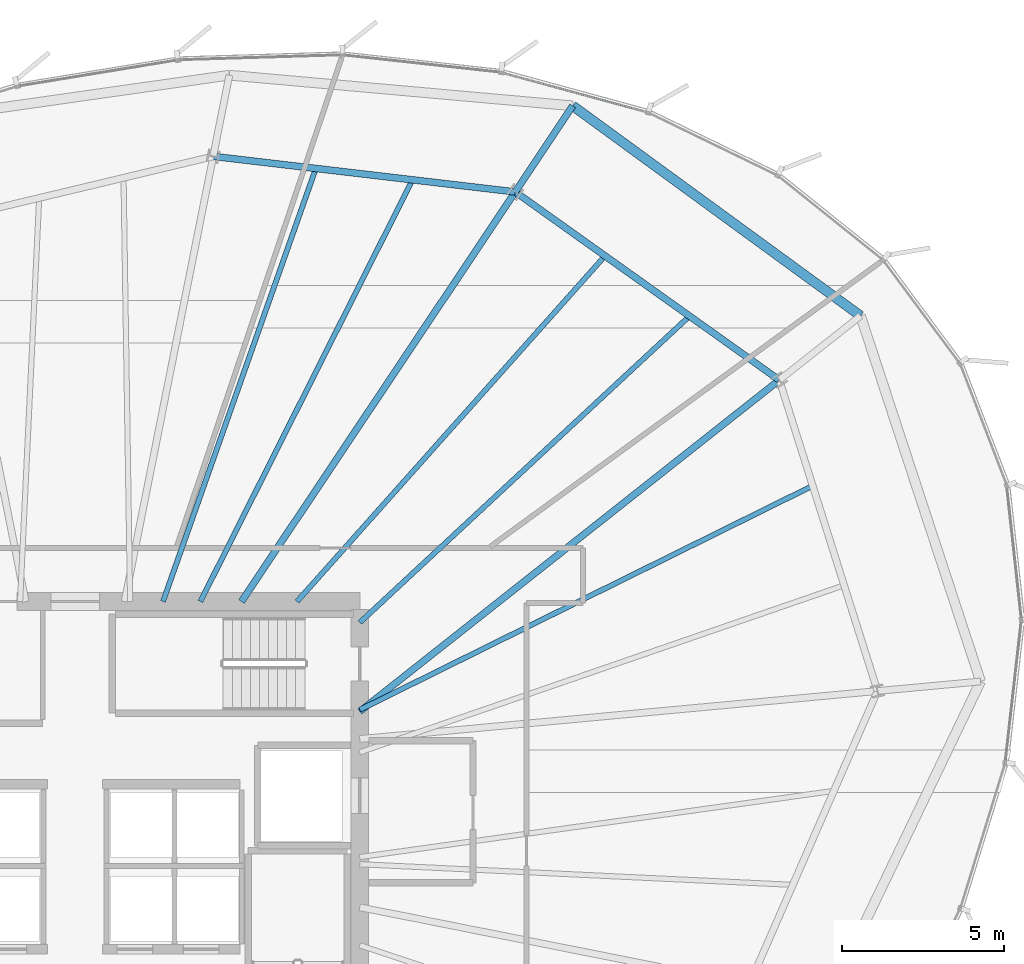
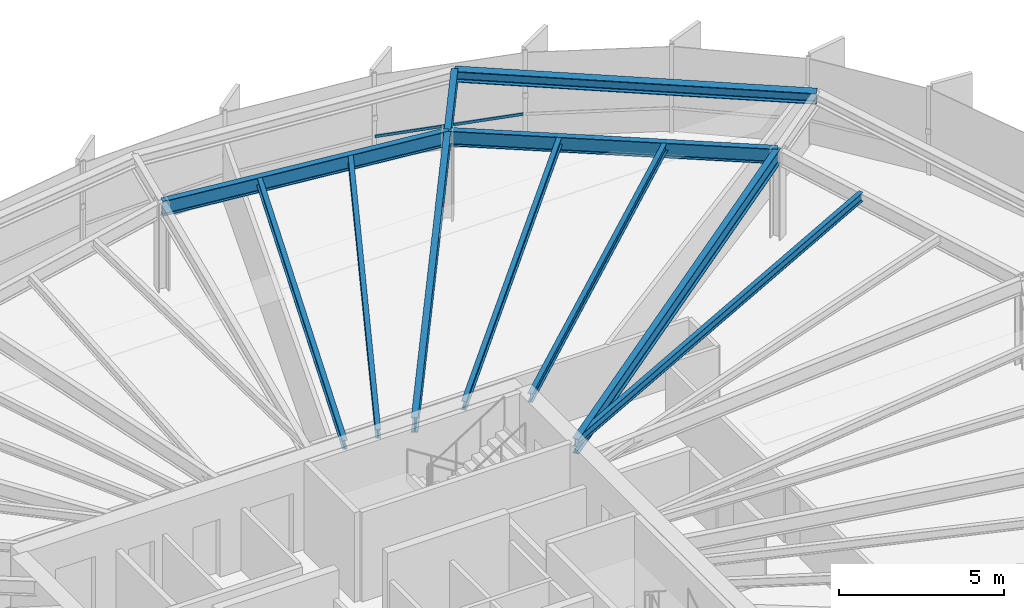
# One storey, part 23 of 36: 11 beams, 1 member, 1 element without a shape of its own.
"""IFC4 building model written with IfcOpenShell, lengths in metres."""

import ifcopenshell
import ifcopenshell.guid

model = None  # the IFC model being written
_history = None  # IfcOwnerHistory: only IFC2X3 demands one
_inside = {}  # id of a spatial element -> (the spatial element, [elements in it])
_under = {}  # id of a project, library or spatial element -> (it, [spatial elements below it])
_declared = {}  # id of a project -> (the project, [libraries it declares])
_typed = {}  # id of a type object -> (the type object, [elements of that type])
_made_of = {}  # id of a material, layer set ... -> (it, [elements and type objects made of it])


def new_model(schema):
    """Start an empty IFC model of exactly this schema.

    Asked for "IFC4X3", IfcOpenShell would pick the latest addendum, in which some entities
    have other attributes; the version numbers below select the first issue.
    IFC2X3 requires an IfcOwnerHistory on every rooted entity: one is made here for all.
    """
    global model, _history
    if schema == "IFC4X3":
        model = ifcopenshell.file(schema_version=(4, 3, 0, 0))
    else:
        model = ifcopenshell.file(schema=schema)
    _inside.clear()
    _under.clear()
    _declared.clear()
    _typed.clear()
    _made_of.clear()
    _history = None
    if model.schema == "IFC2X3":
        org = make("IfcOrganization", Name="unknown")
        user = make(
            "IfcPersonAndOrganization",
            ThePerson=make("IfcPerson", FamilyName="unknown"),
            TheOrganization=org,
        )
        app = make(
            "IfcApplication",
            ApplicationDeveloper=org,
            Version="unknown",
            ApplicationFullName="unknown",
            ApplicationIdentifier="unknown",
        )
        _history = make(
            "IfcOwnerHistory",
            OwningUser=user,
            OwningApplication=app,
            ChangeAction="ADDED",
            CreationDate=0,
        )
    return model


def make(cls, **values):
    """One entity of the class cls with the attributes given. An attribute that is None is left unset."""
    return model.create_entity(
        cls, **{name: value for name, value in values.items() if value is not None}
    )


def rooted(cls, **values):
    """An entity with a GlobalId (a new one), such as an element, a storey or a relation."""
    return make(cls, GlobalId=ifcopenshell.guid.new(), OwnerHistory=_history, **values)


def si_unit(unit_type, name, prefix=None):
    """IfcSIUnit, for example si_unit("LENGTHUNIT", "METRE", prefix="MILLI")."""
    return make("IfcSIUnit", UnitType=unit_type, Prefix=prefix, Name=name)


def assignment(units):
    """IfcUnitAssignment: the units of a project."""
    return None if units is None else make("IfcUnitAssignment", Units=units)


def point(xyz):
    """IfcCartesianPoint."""
    return None if xyz is None else make("IfcCartesianPoint", Coordinates=xyz)


def direction(xyz):
    """IfcDirection."""
    return None if xyz is None else make("IfcDirection", DirectionRatios=xyz)


def frame(location, z_axis=None, x_axis=None):
    """IfcAxis2Placement3D, a coordinate frame: its origin and axes. An axis left out is left unset."""
    return make(
        "IfcAxis2Placement3D",
        Location=point(location),
        Axis=direction(z_axis),
        RefDirection=direction(x_axis),
    )


def frame_2d(location, x_axis=None):
    """IfcAxis2Placement2D, a coordinate frame in the plane: its origin and x axis."""
    return make(
        "IfcAxis2Placement2D", Location=point(location), RefDirection=direction(x_axis)
    )


def origin():
    """The frame at (0, 0, 0) with its axes left unset."""
    return frame((0.0, 0.0, 0.0))


def origin_2d():
    """The frame at (0, 0) in the plane with its x axis left unset."""
    return frame_2d((0.0, 0.0))


def place(relative_to, where):
    """IfcLocalPlacement: puts the frame where relative to a parent placement (None: the world)."""
    return make(
        "IfcLocalPlacement", PlacementRelTo=relative_to, RelativePlacement=where
    )


def context(
    kind, dimensions, precision=None, world=None, true_north=None, identifier=None
):
    """IfcGeometricRepresentationContext, for example the 3D "Model" context."""
    return make(
        "IfcGeometricRepresentationContext",
        ContextIdentifier=identifier,
        ContextType=kind,
        CoordinateSpaceDimension=dimensions,
        Precision=precision,
        WorldCoordinateSystem=world,
        TrueNorth=true_north,
    )


def subcontext(parent, identifier, kind, view, scale=None):
    """IfcGeometricRepresentationSubContext, for example "Body" below "Model"."""
    return make(
        "IfcGeometricRepresentationSubContext",
        ContextIdentifier=identifier,
        ContextType=kind,
        ParentContext=parent,
        TargetScale=scale,
        TargetView=view,
    )


def project(units=None, contexts=None):
    """IfcProject with its units and contexts."""
    return rooted(
        "IfcProject",
        Name="project",
        RepresentationContexts=contexts,
        UnitsInContext=assignment(units),
    )


def spatial(cls, under=None, at=None, **own):
    """A site, building, storey or space (cls), placed at a placement, below another one or the project."""
    s = rooted(cls, ObjectPlacement=at, **own)
    if under is not None:
        _under.setdefault(under.id(), (under, []))[1].append(s)
    return s


def profile(cls, at=None, kind="AREA", **sizes):
    """A parametric profile (cls). Its sizes go by their IFC names, for example OverallWidth=200.0."""
    return make(cls, ProfileType=kind, Position=at, **sizes)


def hollow_rectangle(**sizes):
    """IfcRectangleHollowProfileDef."""
    return profile("IfcRectangleHollowProfileDef", **sizes)


def i_section(**sizes):
    """IfcIShapeProfileDef."""
    return profile("IfcIShapeProfileDef", **sizes)


def extrude(swept, where, along, depth):
    """IfcExtrudedAreaSolid: the profile swept, set in the frame where, extruded along a direction by depth."""
    return make(
        "IfcExtrudedAreaSolid",
        SweptArea=swept,
        Position=where,
        ExtrudedDirection=direction(along),
        Depth=depth,
    )


def shape(context_of_items, identifier, shape_type, items):
    """IfcShapeRepresentation: the items that make up one representation, for example the "Body"."""
    return make(
        "IfcShapeRepresentation",
        ContextOfItems=context_of_items,
        RepresentationIdentifier=identifier,
        RepresentationType=shape_type,
        Items=items,
    )


def source(mapping_origin, context_of_items, identifier, shape_type, items):
    """IfcRepresentationMap: a shape defined once, which mapped items show again and again."""
    return make(
        "IfcRepresentationMap",
        MappingOrigin=mapping_origin,
        MappedRepresentation=shape(context_of_items, identifier, shape_type, items),
    )


def transform(
    local_origin,
    x_axis=None,
    y_axis=None,
    z_axis=None,
    scale=None,
    scale2=None,
    scale3=None,
    uniform=True,
):
    """IfcCartesianTransformationOperator3D, or its non-uniform kind. x_axis, y_axis, z_axis: its Axis1, 2, 3."""
    if uniform:
        return make(
            "IfcCartesianTransformationOperator3D",
            Axis1=direction(x_axis),
            Axis2=direction(y_axis),
            LocalOrigin=point(local_origin),
            Scale=scale,
            Axis3=direction(z_axis),
        )
    return make(
        "IfcCartesianTransformationOperator3DnonUniform",
        Axis1=direction(x_axis),
        Axis2=direction(y_axis),
        LocalOrigin=point(local_origin),
        Scale=scale,
        Axis3=direction(z_axis),
        Scale2=scale2,
        Scale3=scale3,
    )


def mapped(mapping_source, mapping_target):
    """IfcMappedItem: shows the shape of a source again, moved by a transform."""
    return make(
        "IfcMappedItem", MappingSource=mapping_source, MappingTarget=mapping_target
    )


def material(Name=None, Category=None):
    """IfcMaterial."""
    return make("IfcMaterial", Name=Name, Category=Category)


def layer(
    of_material, thickness, ventilated=None, Name=None, Category=None, Priority=None
):
    """IfcMaterialLayer: one layer of a wall or slab, of a material (None: an air gap)."""
    return make(
        "IfcMaterialLayer",
        Material=of_material,
        LayerThickness=thickness,
        IsVentilated=ventilated,
        Name=Name,
        Category=Category,
        Priority=Priority,
    )


def layer_set(layers, Name=None):
    """IfcMaterialLayerSet."""
    return make("IfcMaterialLayerSet", MaterialLayers=layers, LayerSetName=Name)


def material_profile(
    of_material, cross_section, Name=None, Category=None, Priority=None
):
    """IfcMaterialProfile: a cross section and its material."""
    return make(
        "IfcMaterialProfile",
        Name=Name,
        Material=of_material,
        Profile=cross_section,
        Priority=Priority,
        Category=Category,
    )


def profile_set(profiles, Name=None, composite=None):
    """IfcMaterialProfileSet."""
    return make(
        "IfcMaterialProfileSet",
        Name=Name,
        MaterialProfiles=profiles,
        CompositeProfile=composite,
    )


def made_of(thing, what):
    """Note that an element or type object is made of a material, layer set ...; save() writes the relation."""
    if what is not None:
        _made_of.setdefault(what.id(), (what, []))[1].append(thing)
    return thing


def type_object(cls, material=None, **own):
    """A type object (cls), such as IfcWallType, which elements share."""
    return made_of(rooted(cls, **own), material)


def element(
    cls,
    number,
    at=None,
    inside=None,
    cuts=None,
    type_object=None,
    material=None,
    context=None,
    identifier="Body",
    shape_type=None,
    held_by="IfcProductDefinitionShape",
    body=None,
    shapes=None,
    **own,
):
    """One element of the class cls, such as IfcWall. Its Tag is "e" and its number.

    at: its placement. inside: the storey or other place that contains it. cuts: it is an
    opening in that element (IfcRelVoidsElement). A single representation is given by context,
    identifier, shape_type and body (its items); several are given by shapes. held_by: the class
    of the entity that holds the representations. save() writes the other relations.
    """
    e = rooted(cls, Tag="e%d" % number, ObjectPlacement=at, **own)
    if body is not None:
        shapes = [shape(context, identifier, shape_type, body)]
    if shapes is not None:
        e.Representation = make(held_by, Representations=shapes)
    if inside is not None:
        _inside.setdefault(inside.id(), (inside, []))[1].append(e)
    if cuts is not None:
        rooted(
            "IfcRelVoidsElement", RelatingBuildingElement=cuts, RelatedOpeningElement=e
        )
    if type_object is not None:
        _typed.setdefault(type_object.id(), (type_object, []))[1].append(e)
    return made_of(e, material)


def aggregate(whole, parts):
    """IfcRelAggregates: a whole, such as a stair, and the parts it consists of."""
    return rooted("IfcRelAggregates", RelatingObject=whole, RelatedObjects=parts)


def save(model, path):
    """Write the relations noted so far, then the file.

    IfcRelAggregates (storeys below a building ...), IfcRelContainedInSpatialStructure (elements
    in a storey), IfcRelDefinesByType, IfcRelAssociatesMaterial and IfcRelDeclares: one each for
    every whole, place, type object, material and project.
    """
    for whole, parts in _under.values():
        aggregate(whole, parts)
    for where, things in _inside.values():
        rooted(
            "IfcRelContainedInSpatialStructure",
            RelatedElements=things,
            RelatingStructure=where,
        )
    for kind, things in _typed.values():
        rooted("IfcRelDefinesByType", RelatedObjects=things, RelatingType=kind)
    for what, things in _made_of.values():
        rooted("IfcRelAssociatesMaterial", RelatedObjects=things, RelatingMaterial=what)
    for by, libraries in _declared.values():
        rooted("IfcRelDeclares", RelatingContext=by, RelatedDefinitions=libraries)
    model.write(path)


model = new_model("IFC4")

# Units and contexts
model_context = context("Model", 3, precision=1e-05, world=origin(), true_north=direction((0.0, 1.0)))
body_context = subcontext(model_context, "Body", "Model", "MODEL_VIEW")
ifc_project = project(units=[si_unit("LENGTHUNIT", "METRE"), si_unit("AREAUNIT", "SQUARE_METRE"), si_unit("VOLUMEUNIT", "CUBIC_METRE"), si_unit("PLANEANGLEUNIT", "RADIAN"), si_unit("MASSUNIT", "GRAM", prefix="KILO"), si_unit("THERMODYNAMICTEMPERATUREUNIT", "KELVIN")], contexts=[model_context])

# Site, building, storey
site_placement = place(None, origin())
site = spatial("IfcSite", under=ifc_project, at=site_placement, CompositionType="ELEMENT")
building_placement = place(site_placement, origin())
building = spatial("IfcBuilding", under=site, at=building_placement, Name="Kethvar Cultural Tower", CompositionType="ELEMENT")
storey_placement = place(building_placement, frame((0.0, 0.0, 150.10009765625)))
storey = spatial("IfcBuildingStorey", under=building, at=storey_placement, Name="L38", CompositionType="ELEMENT", Elevation=150.10009765625)

# Beams
ifc_material_1 = material(Name="Steel S355J2", Category="steel")
ifc_material_profile_1 = material_profile(ifc_material_1, i_section(OverallWidth=0.2099609375, OverallDepth=0.550048828125, WebThickness=0.010986328125, FlangeThickness=0.01708984375, FilletRadius=0.02392578125, at=origin_2d()), Name="Steel S355J2 — IPE550")
ifc_profile_set_1 = profile_set([ifc_material_profile_1], Name="Steel S355J2 — IPE550")
beam_type_1 = type_object("IfcBeamType", Name="BM-IPE550", PredefinedType="BEAM", material=ifc_profile_set_1)
shared_shape_1 = source(origin(), body_context, "Body", "SweptSolid", [
    extrude(i_section(OverallWidth=0.2099609375, OverallDepth=0.550048828125, WebThickness=0.010986328125, FlangeThickness=0.01708984375, FilletRadius=0.02392578125, at=origin_2d()), origin(), (0.0, 0.0, 1.0), 3.199951171875),
])
beam_1_placement = place(storey_placement, frame((60.40478515625, 48.160888671875, 3.02294921875), z_axis=(0.555580212716, 0.831462943996, 0.0), x_axis=(-0.831462943996, 0.555580212716, 0.0)))
element("IfcBeam", 1, at=beam_1_placement, inside=storey, type_object=beam_type_1, Name="L38 Perimeter Cantilever Beam RC-03", PredefinedType="BEAM", context=body_context, shape_type="MappedRepresentation", body=[
    mapped(shared_shape_1, transform((0.0, 0.0, 0.0), scale=1.0)),
])
shared_shape_2 = source(origin(), body_context, "Body", "SweptSolid", [
    extrude(i_section(OverallWidth=0.2099609375, OverallDepth=0.550048828125, WebThickness=0.010986328125, FlangeThickness=0.01708984375, FilletRadius=0.02392578125, at=origin_2d()), origin(), (0.0, 0.0, 1.0), 16.527099609375),
])
beam_2_placement = place(storey_placement, frame((55.60009765625, 32.10009765625, 3.02294921875), z_axis=(0.784681939021, 0.619898584105, 0.0), x_axis=(-0.619898584105, 0.784681939021, 0.0)))
element("IfcBeam", 2, at=beam_2_placement, inside=storey, type_object=beam_type_1, Name="L38 Primary Radial Beam RB-02", PredefinedType="BEAM", context=body_context, shape_type="MappedRepresentation", body=[
    mapped(shared_shape_2, transform((0.0, 0.0, 0.0), scale=1.0)),
])
shared_shape_3 = source(origin(), body_context, "Body", "SweptSolid", [
    extrude(i_section(OverallWidth=0.2099609375, OverallDepth=0.550048828125, WebThickness=0.010986328125, FlangeThickness=0.01708984375, FilletRadius=0.02392578125, at=origin_2d()), origin(), (0.0, 0.0, 1.0), 15.22705078125),
])
beam_3_placement = place(storey_placement, frame((51.945068359375, 35.5, 3.02294921875), z_axis=(0.555569390778, 0.83147017507, 0.0), x_axis=(-0.83147017507, 0.555569390778, 0.0)))
element("IfcBeam", 3, at=beam_3_placement, inside=storey, type_object=beam_type_1, Name="L38 Primary Radial Beam RB-03", PredefinedType="BEAM", context=body_context, shape_type="MappedRepresentation", body=[
    mapped(shared_shape_3, transform((0.0, 0.0, 0.0), scale=1.0)),
])
ifc_material_profile_2 = material_profile(ifc_material_1, i_section(OverallWidth=0.159912109375, OverallDepth=0.330078125, WebThickness=0.007568359375, FlangeThickness=0.011474609375, FilletRadius=0.01806640625, at=origin_2d()), Name="Steel S355J2 — IPE330")
ifc_profile_set_2 = profile_set([ifc_material_profile_2], Name="Steel S355J2 — IPE330")
beam_type_2 = type_object("IfcBeamType", Name="BM-J330", PredefinedType="JOIST", material=ifc_profile_set_2)
shared_shape_4 = source(origin(), body_context, "Body", "SweptSolid", [
    extrude(i_section(OverallWidth=0.159912109375, OverallDepth=0.330078125, WebThickness=0.007568359375, FlangeThickness=0.011474609375, FilletRadius=0.01806640625, at=origin_2d()), origin(), (0.0, 0.0, 1.0), 15.618896484375),
])
beam_4_placement = place(storey_placement, frame((55.60009765625, 32.152587890625, 3.1328125), z_axis=(0.896344638992, 0.443357968408, 0.0), x_axis=(-0.443357968408, 0.896344638992, 0.0)))
element("IfcBeam", 4, at=beam_4_placement, inside=storey, type_object=beam_type_2, Name="L38 Composite Floor Joist J-01B", PredefinedType="JOIST", context=body_context, shape_type="MappedRepresentation", body=[
    mapped(shared_shape_4, transform((0.0, 0.0, 0.0), scale=1.0)),
])
shared_shape_5 = source(origin(), body_context, "Body", "SweptSolid", [
    extrude(i_section(OverallWidth=0.2099609375, OverallDepth=0.550048828125, WebThickness=0.010986328125, FlangeThickness=0.01708984375, FilletRadius=0.02392578125, at=origin_2d()), origin(), (0.0, 0.0, 1.0), 10.0234375),
])
beam_5_placement = place(storey_placement, frame((68.568603515625, 42.34521484375, 3.02294921875), z_axis=(-0.814470106239, 0.580205520521, 0.0), x_axis=(-0.580205520521, -0.814470106239, 0.0)))
element("IfcBeam", 5, at=beam_5_placement, inside=storey, type_object=beam_type_1, Name="L38 Column Ring Tie Beam CR-02", PredefinedType="BEAM", context=body_context, shape_type="MappedRepresentation", body=[
    mapped(shared_shape_5, transform((0.0, 0.0, 0.0), scale=1.0)),
])
shared_shape_6 = source(origin(), body_context, "Body", "SweptSolid", [
    extrude(i_section(OverallWidth=0.159912109375, OverallDepth=0.330078125, WebThickness=0.007568359375, FlangeThickness=0.011474609375, FilletRadius=0.01806640625, at=origin_2d()), origin(), (0.0, 0.0, 1.0), 13.91455078125),
])
beam_6_placement = place(storey_placement, frame((55.60009765625, 34.85009765625, 3.1328125), z_axis=(0.732512843328, 0.680753211054, 0.0), x_axis=(-0.680753211054, 0.732512843328, 0.0)))
element("IfcBeam", 6, at=beam_6_placement, inside=storey, type_object=beam_type_2, Name="L38 Composite Floor Joist J-02A", PredefinedType="JOIST", context=body_context, shape_type="MappedRepresentation", body=[
    mapped(shared_shape_6, transform((0.0, 0.0, 0.0), scale=1.0)),
])
shared_shape_7 = source(origin(), body_context, "Body", "SweptSolid", [
    extrude(i_section(OverallWidth=0.159912109375, OverallDepth=0.330078125, WebThickness=0.007568359375, FlangeThickness=0.011474609375, FilletRadius=0.01806640625, at=origin_2d()), origin(), (0.0, 0.0, 1.0), 14.3095703125),
])
beam_7_placement = place(storey_placement, frame((53.660888671875, 35.5, 3.1328125), z_axis=(0.665261381663, 0.746610537073, 0.0), x_axis=(-0.746610537073, 0.665261381663, 0.0)))
element("IfcBeam", 7, at=beam_7_placement, inside=storey, type_object=beam_type_2, Name="L38 Composite Floor Joist J-02B", PredefinedType="JOIST", context=body_context, shape_type="MappedRepresentation", body=[
    mapped(shared_shape_7, transform((0.0, 0.0, 0.0), scale=1.0)),
])
shared_shape_8 = source(origin(), body_context, "Body", "SweptSolid", [
    extrude(i_section(OverallWidth=0.2099609375, OverallDepth=0.550048828125, WebThickness=0.010986328125, FlangeThickness=0.01708984375, FilletRadius=0.02392578125, at=origin_2d()), origin(), (0.0, 0.0, 1.0), 9.400634765625),
])
beam_8_placement = place(storey_placement, frame((60.40478515625, 48.160888671875, 3.02294921875), z_axis=(-0.993150427046, 0.116842754407, 0.0), x_axis=(-0.116842754407, -0.993150427046, 0.0)))
element("IfcBeam", 8, at=beam_8_placement, inside=storey, type_object=beam_type_1, Name="L38 Column Ring Tie Beam CR-03", PredefinedType="BEAM", context=body_context, shape_type="MappedRepresentation", body=[
    mapped(shared_shape_8, transform((0.0, 0.0, 0.0), scale=1.0)),
])
shared_shape_9 = source(origin(), body_context, "Body", "SweptSolid", [
    extrude(i_section(OverallWidth=0.159912109375, OverallDepth=0.330078125, WebThickness=0.007568359375, FlangeThickness=0.011474609375, FilletRadius=0.01806640625, at=origin_2d()), origin(), (0.0, 0.0, 1.0), 14.590576171875),
])
beam_9_placement = place(storey_placement, frame((50.673583984375, 35.5, 3.1328125), z_axis=(0.449394228778, 0.893333547529, 0.0), x_axis=(-0.893333547529, 0.449394228778, 0.0)))
element("IfcBeam", 9, at=beam_9_placement, inside=storey, type_object=beam_type_2, Name="L38 Composite Floor Joist J-03A", PredefinedType="JOIST", context=body_context, shape_type="MappedRepresentation", body=[
    mapped(shared_shape_9, transform((0.0, 0.0, 0.0), scale=1.0)),
])
shared_shape_10 = source(origin(), body_context, "Body", "SweptSolid", [
    extrude(i_section(OverallWidth=0.159912109375, OverallDepth=0.330078125, WebThickness=0.007568359375, FlangeThickness=0.011474609375, FilletRadius=0.01806640625, at=origin_2d()), origin(), (0.0, 0.0, 1.0), 14.1953125),
])
beam_10_placement = place(storey_placement, frame((49.517822265625, 35.5, 3.1328125), z_axis=(0.332865098769, 0.942974456717, 0.0), x_axis=(-0.942974456717, 0.332865098769, 0.0)))
element("IfcBeam", 10, at=beam_10_placement, inside=storey, type_object=beam_type_2, Name="L38 Composite Floor Joist J-03B", PredefinedType="JOIST", context=body_context, shape_type="MappedRepresentation", body=[
    mapped(shared_shape_10, transform((0.0, 0.0, 0.0), scale=1.0)),
])
ifc_material_profile_3 = material_profile(ifc_material_1, i_section(OverallWidth=0.300048828125, OverallDepth=0.39990234375, WebThickness=0.013427734375, FlangeThickness=0.02392578125, FilletRadius=0.027099609375, at=origin_2d()), Name="Steel S355J2 — HEB400")
ifc_profile_set_3 = profile_set([ifc_material_profile_3], Name="Steel S355J2 — HEB400")
beam_type_3 = type_object("IfcBeamType", Name="BM-SP400", PredefinedType="SPANDREL", material=ifc_profile_set_3)
shared_shape_11 = source(origin(), body_context, "Body", "SweptSolid", [
    extrude(i_section(OverallWidth=0.300048828125, OverallDepth=0.39990234375, WebThickness=0.013427734375, FlangeThickness=0.02392578125, FilletRadius=0.027099609375, at=origin_2d()), origin(), (0.0, 0.0, 1.0), 11.013916015625),
])
beam_11_placement = place(storey_placement, frame((71.07958984375, 44.3291015625, 3.097900390625), z_axis=(-0.807788950974, 0.589471806522, 0.0), x_axis=(-0.589471806522, -0.807788950974, 0.0)))
element("IfcBeam", 11, at=beam_11_placement, inside=storey, type_object=beam_type_3, Name="L38 Perimeter Spandrel Beam SP-02", PredefinedType="SPANDREL", context=body_context, shape_type="MappedRepresentation", body=[
    mapped(shared_shape_11, transform((0.0, 0.0, 0.0), scale=1.0)),
])

# Curtain wall, member
ifc_material_2 = material(Name="Aluminium 6063-T6", Category="aluminium")
ifc_layer = layer(ifc_material_2, 0.179931640625, Name="Aluminium 6063-T6", Category="aluminium")
ifc_layer_set = layer_set([ifc_layer], Name="Aluminium 6063-T6 (180 mm)")
curtain_wall_type = type_object("IfcCurtainWallType", Name="CW-SYS-04-Z34", PredefinedType="NOTDEFINED", material=ifc_layer_set)
curtain_wall_placement = place(storey_placement, origin())
curtain_wall = element("IfcCurtainWall", 12, at=curtain_wall_placement, inside=storey, type_object=curtain_wall_type, Name="L38 Curtain Wall Run 01", PredefinedType="NOTDEFINED")
ifc_material_profile_4 = material_profile(ifc_material_2, hollow_rectangle(XDim=0.050048828125, YDim=0.10009765625, WallThickness=0.00390625, at=origin_2d()), Name="Aluminium 6063-T6 — RHS100x50x4")
ifc_profile_set_4 = profile_set([ifc_material_profile_4], Name="Aluminium 6063-T6 — RHS100x50x4")
member_type = type_object("IfcMemberType", Name="CW-SYS-04-Z34-TRN", PredefinedType="USERDEFINED", material=ifc_profile_set_4)
shared_shape_12 = source(origin(), body_context, "Body", "SweptSolid", [
    extrude(hollow_rectangle(XDim=0.050048828125, YDim=0.10009765625, WallThickness=0.00390625, at=origin_2d()), origin(), (0.0, 0.0, 1.0), 4.6484375),
])
member_placement = place(storey_placement, frame((64.480712890625, 50.622802734375, 0.949951171875), z_axis=(-0.964746851109, 0.263179621695, 0.0), x_axis=(-0.263179621695, -0.964746851109, 0.0)))
member = element("IfcMember", 13, at=member_placement, type_object=member_type, Name="CW-L38-R01 Transom 4", ObjectType="TRANSOM", PredefinedType="USERDEFINED", context=body_context, shape_type="MappedRepresentation", body=[
    mapped(shared_shape_12, transform((0.0, 0.0, 0.0), scale=1.0)),
])
aggregate(curtain_wall, [member])

save(model, "model.ifc")
